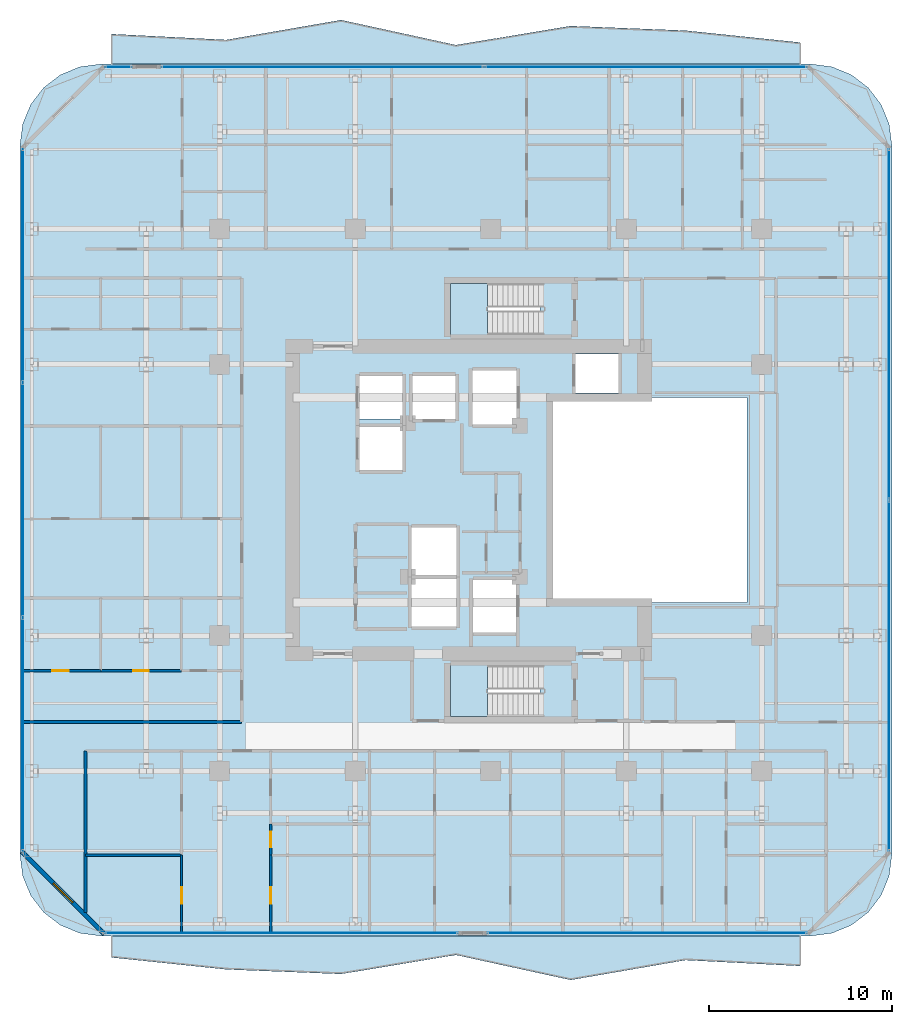
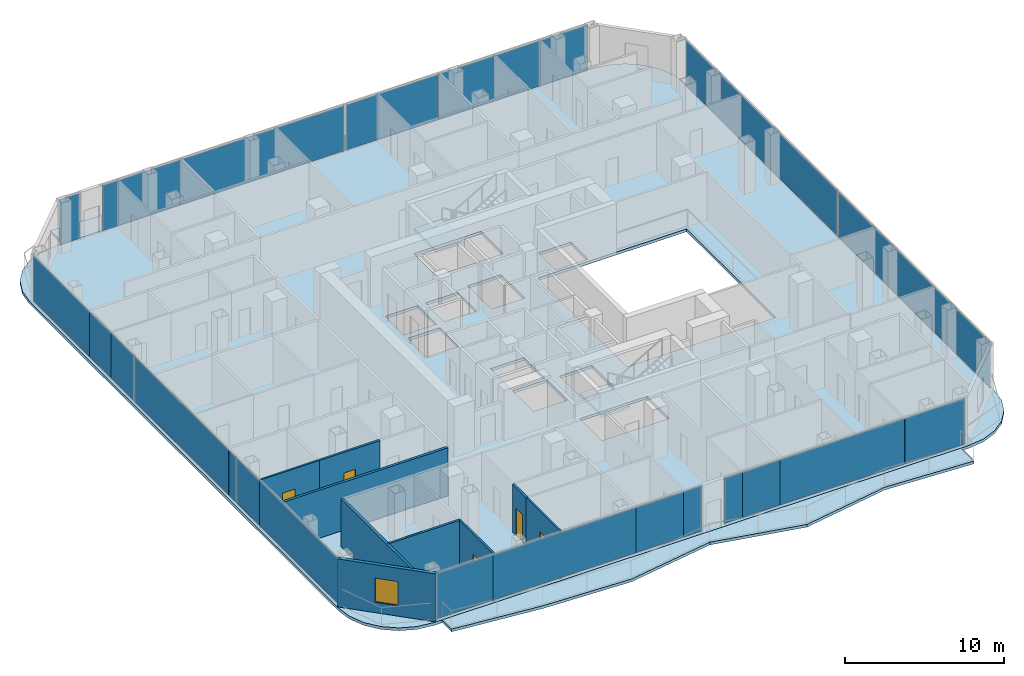
# One storey, part 18 of 27: 25 plates, 9 walls, 5 doors, 5 slabs, 1 window, 6 openings, 8 elements without a shape of their own.
"""IFC4 building model written with IfcOpenShell, lengths in metres."""

from ifc_helpers import new_model, si_unit, direction, frame, frame_2d, origin, origin_2d, place, context, subcontext, project, spatial, polyline, rectangle, outline, extrude, material, layer, layer_set, type_object, element, fill, aggregate, save


model = new_model("IFC4")

# Units and contexts
model_context = context("Model", 3, precision=1e-05, world=origin(), true_north=direction((0.0, 1.0)))
body_context = subcontext(model_context, "Body", "Model", "MODEL_VIEW")
ifc_project = project(units=[si_unit("LENGTHUNIT", "METRE"), si_unit("AREAUNIT", "SQUARE_METRE"), si_unit("VOLUMEUNIT", "CUBIC_METRE"), si_unit("PLANEANGLEUNIT", "RADIAN"), si_unit("MASSUNIT", "GRAM", prefix="KILO")], contexts=[model_context])

# Site, building, storey
site_placement = place(None, origin())
site = spatial("IfcSite", under=ifc_project, at=site_placement, CompositionType="ELEMENT")
building_placement = place(site_placement, origin())
building = spatial("IfcBuilding", under=site, at=building_placement, Name="Khorvyn Point Tower", CompositionType="ELEMENT")
storey_placement = place(building_placement, frame((0.0, 0.0, 179.699951171875)))
storey = spatial("IfcBuildingStorey", under=building, at=storey_placement, Name="L44", CompositionType="ELEMENT", Elevation=179.699951171875)

# Slabs
ifc_material_1 = material(Name="Concrete C35/45", Category="concrete")
ifc_layer_1 = layer(ifc_material_1, 0.219970703125)
ifc_layer_set_1 = layer_set([ifc_layer_1], Name="Concrete C35/45 Structural Floor Slab 220")
slab_type_1 = type_object("IfcSlabType", Name="Concrete C35/45 Structural Floor Slab 220", PredefinedType="FLOOR", material=ifc_layer_set_1)
slab_1_placement = place(storey_placement, frame((0.0, 0.0, -0.219970703125)))
element("IfcSlab", 1, at=slab_1_placement, inside=storey, type_object=slab_type_1, Name="L44 Main Structural Floor Slab", PredefinedType="FLOOR", context=body_context, shape_type="SweptSolid", body=[
    extrude(outline(polyline([(-21.300048828125, -23.800048828125), (-22.438720703125, -23.650146484375), (-23.5, -23.21044921875), (-24.411376953125, -22.51123046875), (-25.110595703125, -21.60009765625), (-25.550048828125, -20.538818359375), (-25.699951171875, -19.39990234375), (-25.699951171875, 19.39990234375), (-25.550048828125, 20.538818359375), (-25.110595703125, 21.60009765625), (-24.411376953125, 22.51123046875), (-23.5, 23.21044921875), (-22.438720703125, 23.650146484375), (-21.300048828125, 23.800048828125), (17.5, 23.800048828125), (18.638916015625, 23.650146484375), (19.699951171875, 23.21044921875), (20.611328125, 22.51123046875), (21.310546875, 21.60009765625), (21.75, 20.538818359375), (21.89990234375, 19.39990234375), (21.89990234375, -19.39990234375), (21.75, -20.538818359375), (21.310546875, -21.60009765625), (20.611328125, -22.51123046875), (19.699951171875, -23.21044921875), (18.638916015625, -23.650146484375), (17.5, -23.800048828125), (-21.300048828125, -23.800048828125)]), holes=[polyline([(-1.875, -6.89990234375), (-1.875, -4.300048828125), (-4.324951171875, -4.300048828125), (-4.324951171875, -6.89990234375), (-1.875, -6.89990234375)]), polyline([(-1.875, -4.10009765625), (-1.875, -1.5), (-4.324951171875, -1.5), (-4.324951171875, -4.10009765625), (-1.875, -4.10009765625)]), polyline([(-4.824951171875, 1.625), (-4.824951171875, 3.97509765625), (-7.175048828125, 3.97509765625), (-7.175048828125, 1.625), (-4.824951171875, 1.625)]), polyline([(-7.175048828125, 4.425048828125), (-4.824951171875, 4.425048828125), (-4.824951171875, 6.77490234375), (-7.175048828125, 6.77490234375), (-7.175048828125, 4.425048828125)]), polyline([(-4.27490234375, 4.425048828125), (-1.925048828125, 4.425048828125), (-1.925048828125, 6.77490234375), (-4.27490234375, 6.77490234375), (-4.27490234375, 4.425048828125)]), polyline([(1.39990234375, 4.125), (1.39990234375, 7.074951171875), (-1.0, 7.074951171875), (-1.0, 4.125), (1.39990234375, 4.125)]), polyline([(-2.199951171875, -11.820068359375), (2.679931640625, -11.820068359375), (2.679931640625, -9.02001953125), (-2.199951171875, -9.02001953125), (-2.199951171875, -11.820068359375)]), polyline([(-0.97509765625, -7.22509765625), (1.375, -7.22509765625), (1.375, -4.375), (-0.97509765625, -4.375), (-0.97509765625, -7.22509765625)]), polyline([(14.0, -5.60009765625), (14.0, 5.60009765625), (3.199951171875, 5.60009765625), (3.199951171875, -5.60009765625), (14.0, -5.60009765625)]), polyline([(4.625, 5.85009765625), (6.97509765625, 5.85009765625), (6.97509765625, 7.97998046875), (4.625, 7.97998046875), (4.625, 5.85009765625)]), polyline([(-2.199951171875, 9.02001953125), (2.679931640625, 9.02001953125), (2.679931640625, 11.820068359375), (-2.199951171875, 11.820068359375), (-2.199951171875, 9.02001953125)])]), origin(), (0.0, 0.0, 1.0), 0.219970703125),
])
ifc_material_2 = material(Name="Concrete C40/50", Category="concrete")
ifc_layer_2 = layer(ifc_material_2, 0.2099609375)
ifc_layer_set_2 = layer_set([ifc_layer_2], Name="Concrete C40/50 Rippling Balcony Slab 210")
slab_type_2 = type_object("IfcSlabType", Name="Concrete C40/50 Rippling Balcony Slab 210", PredefinedType="USERDEFINED", material=ifc_layer_set_2)
slab_2_placement = place(storey_placement, frame((0.0, 0.0, -0.2099609375)))
element("IfcSlab", 2, at=slab_2_placement, inside=storey, type_object=slab_type_2, Name="L44 North Sinusoidal Rippling Balcony", ObjectType="BALCONY", PredefinedType="USERDEFINED", context=body_context, shape_type="SweptSolid", body=[
    extrude(outline(polyline([(16.89990234375, 23.800048828125), (16.89990234375, 24.978759765625), (10.63330078125, 25.630859375), (4.36669921875, 25.8798828125), (-1.89990234375, 24.8408203125), (-8.166748046875, 26.20703125), (-14.433349609375, 25.12255859375), (-20.699951171875, 25.441650390625), (-20.699951171875, 23.800048828125), (16.89990234375, 23.800048828125)])), origin(), (0.0, 0.0, 1.0), 0.2099609375),
])
slab_3_placement = place(storey_placement, frame((0.0, 0.0, -0.2099609375)))
element("IfcSlab", 3, at=slab_3_placement, inside=storey, type_object=slab_type_2, Name="L44 South Sinusoidal Rippling Balcony", ObjectType="BALCONY", PredefinedType="USERDEFINED", context=body_context, shape_type="SweptSolid", body=[
    extrude(outline(polyline([(-20.699951171875, -23.800048828125), (-20.699951171875, -24.978759765625), (-14.433349609375, -25.630859375), (-8.166748046875, -25.8798828125), (-1.89990234375, -24.8408203125), (4.36669921875, -26.20703125), (10.63330078125, -25.12255859375), (16.89990234375, -25.441650390625), (16.89990234375, -23.800048828125), (-20.699951171875, -23.800048828125)])), origin(), (0.0, 0.0, 1.0), 0.2099609375),
])

# Stair, slab
stair_type = type_object("IfcStairType", Name="Tower Concrete C40/50 Dogleg Exit Stair", PredefinedType="HALF_TURN_STAIR", material=ifc_material_2)
stair_1_placement = place(storey_placement, origin())
stair_1 = element("IfcStair", 4, at=stair_1_placement, inside=storey, type_object=stair_type, Name="L44 Tower Smokeproof Exit Stair South", PredefinedType="HALF_TURN_STAIR")
ifc_layer_3 = layer(ifc_material_2, 0.199951171875)
ifc_layer_set_3 = layer_set([ifc_layer_3], Name="Concrete C40/50 Stair Landing Slab 200")
slab_type_3 = type_object("IfcSlabType", Name="Concrete C40/50 Stair Landing Slab 200", PredefinedType="LANDING", material=ifc_layer_set_3)
slab_4_placement = place(storey_placement, frame((0.0, 0.0, 1.75)))
slab_4 = element("IfcSlab", 5, at=slab_4_placement, type_object=slab_type_3, Name="ST-01 landing 1", PredefinedType="LANDING", context=body_context, shape_type="SweptSolid", body=[
    extrude(outline(polyline([(-0.179931640625, -9.02001953125), (-2.199951171875, -9.02001953125), (-2.199951171875, -11.820068359375), (-0.179931640625, -11.820068359375), (-0.179931640625, -9.02001953125)])), origin(), (0.0, 0.0, 1.0), 0.199951171875),
])
aggregate(stair_1, [slab_4])

stair_2_placement = place(storey_placement, origin())
stair_2 = element("IfcStair", 6, at=stair_2_placement, inside=storey, type_object=stair_type, Name="L44 Tower Smokeproof Exit Stair North", PredefinedType="HALF_TURN_STAIR")
slab_5_placement = place(storey_placement, frame((0.0, 0.0, 1.75)))
slab_5 = element("IfcSlab", 7, at=slab_5_placement, type_object=slab_type_3, Name="ST-02 landing 1", PredefinedType="LANDING", context=body_context, shape_type="SweptSolid", body=[
    extrude(outline(polyline([(-0.179931640625, 11.820068359375), (-2.199951171875, 11.820068359375), (-2.199951171875, 9.02001953125), (-0.179931640625, 9.02001953125), (-0.179931640625, 11.820068359375)])), origin(), (0.0, 0.0, 1.0), 0.199951171875),
])
aggregate(stair_2, [slab_5])

# Curtain wall, plates
ifc_material_3 = material(Name="Anodised aluminium 6063-T6 and laminated Low-E glass", Category="aluminium")
ifc_layer_4 = layer(ifc_material_3, 0.18994140625)
ifc_layer_set_4 = layer_set([ifc_layer_4], Name="Stick-Built Acoustic Curtain Wall CW-SYS-03")
curtain_wall_type = type_object("IfcCurtainWallType", Name="Stick-Built Acoustic Curtain Wall CW-SYS-03", PredefinedType="NOTDEFINED", material=ifc_layer_set_4)
curtain_wall_1_placement = place(storey_placement, origin())
curtain_wall_1 = element("IfcCurtainWall", 8, at=curtain_wall_1_placement, inside=storey, type_object=curtain_wall_type, Name="Curtain Wall", PredefinedType="NOTDEFINED")
ifc_material_4 = material(Name="Laminated Low-E insulated glass", Category="glass")
ifc_layer_5 = layer(ifc_material_4, 0.028076171875)
ifc_layer_set_5 = layer_set([ifc_layer_5], Name="Tempered Low-E Vision Glazing Panel CW-GL28")
plate_type = type_object("IfcPlateType", Name="Tempered Low-E Vision Glazing Panel CW-GL28", PredefinedType="CURTAIN_PANEL", material=ifc_layer_set_5)
plate_1_placement = place(storey_placement, frame((0.487060546875, -23.64990234375, 0.10009765625), z_axis=(0.0, 0.0, 1.0), x_axis=(-1.0, 0.0, 0.0)))
plate_1 = element("IfcPlate", 9, at=plate_1_placement, type_object=plate_type, Name="Panel", PredefinedType="CURTAIN_PANEL", context=body_context, shape_type="SweptSolid", body=[
    extrude(rectangle(XDim=1.298095703125, YDim=0.028076171875, at=origin_2d()), origin(), (0.0, 0.0, 1.0), 3.47998046875),
])
plate_2_placement = place(storey_placement, frame((2.5048828125, -23.64990234375, 0.10009765625), z_axis=(0.0, 0.0, 1.0), x_axis=(-1.0, 0.0, 0.0)))
plate_2 = element("IfcPlate", 10, at=plate_2_placement, type_object=plate_type, Name="Panel", PredefinedType="CURTAIN_PANEL", context=body_context, shape_type="SweptSolid", body=[
    extrude(rectangle(XDim=2.721923828125, YDim=0.028076171875, at=origin_2d()), origin(), (0.0, 0.0, 1.0), 3.47998046875),
])
plate_3_placement = place(storey_placement, frame((8.39453125, -23.64990234375, 0.10009765625), z_axis=(0.0, 0.0, 1.0), x_axis=(-1.0, 0.0, 0.0)))
plate_3 = element("IfcPlate", 11, at=plate_3_placement, type_object=plate_type, Name="Panel", PredefinedType="CURTAIN_PANEL", context=body_context, shape_type="SweptSolid", body=[
    extrude(rectangle(XDim=9.041015625, YDim=0.028076171875, at=origin_2d()), origin(), (0.0, 0.0, 1.0), 3.47998046875),
])
plate_4_placement = place(storey_placement, frame((15.08447265625, -23.64990234375, 0.10009765625), z_axis=(0.0, 0.0, 1.0), x_axis=(-1.0, 0.0, 0.0)))
plate_4 = element("IfcPlate", 12, at=plate_4_placement, type_object=plate_type, Name="Panel", PredefinedType="CURTAIN_PANEL", context=body_context, shape_type="SweptSolid", body=[
    extrude(rectangle(XDim=4.322998046875, YDim=0.028076171875, at=origin_2d()), origin(), (0.0, 0.0, 1.0), 3.47998046875),
])
aggregate(curtain_wall_1, [plate_1, plate_2, plate_3, plate_4])

curtain_wall_2_placement = place(storey_placement, origin())
curtain_wall_2 = element("IfcCurtainWall", 13, at=curtain_wall_2_placement, inside=storey, type_object=curtain_wall_type, Name="Curtain Wall", PredefinedType="NOTDEFINED")
plate_5_placement = place(storey_placement, frame((-18.992919921875, -23.64990234375, 0.10009765625), z_axis=(0.0, 0.0, 1.0), x_axis=(-1.0, 0.0, 0.0)))
plate_5 = element("IfcPlate", 14, at=plate_5_placement, type_object=plate_type, Name="Panel", PredefinedType="CURTAIN_PANEL", context=body_context, shape_type="SweptSolid", body=[
    extrude(rectangle(XDim=4.10595703125, YDim=0.028076171875, at=origin_2d()), origin(), (0.0, 0.0, 1.0), 3.47998046875),
])
plate_6_placement = place(storey_placement, frame((-11.7470703125, -23.64990234375, 0.10009765625), z_axis=(0.0, 0.0, 1.0), x_axis=(-1.0, 0.0, 0.0)))
plate_6 = element("IfcPlate", 15, at=plate_6_placement, type_object=plate_type, Name="Panel", PredefinedType="CURTAIN_PANEL", context=body_context, shape_type="SweptSolid", body=[
    extrude(rectangle(XDim=10.3701171875, YDim=0.028076171875, at=origin_2d()), origin(), (0.0, 0.0, 1.0), 3.47998046875),
])
plate_7_placement = place(storey_placement, frame((-4.83544921875, -23.64990234375, 0.10009765625), z_axis=(0.0, 0.0, 1.0), x_axis=(-1.0, 0.0, 0.0)))
plate_7 = element("IfcPlate", 16, at=plate_7_placement, type_object=plate_type, Name="Panel", PredefinedType="CURTAIN_PANEL", context=body_context, shape_type="SweptSolid", body=[
    extrude(rectangle(XDim=3.43701171875, YDim=0.028076171875, at=origin_2d()), origin(), (0.0, 0.0, 1.0), 3.47998046875),
])
plate_8_placement = place(storey_placement, frame((-2.45947265625, -23.64990234375, 0.10009765625), z_axis=(0.0, 0.0, 1.0), x_axis=(-1.0, 0.0, 0.0)))
plate_8 = element("IfcPlate", 17, at=plate_8_placement, type_object=plate_type, Name="Panel", PredefinedType="CURTAIN_PANEL", context=body_context, shape_type="SweptSolid", body=[
    extrude(rectangle(XDim=1.299072265625, YDim=0.028076171875, at=origin_2d()), origin(), (0.0, 0.0, 1.0), 3.47998046875),
])
aggregate(curtain_wall_2, [plate_5, plate_6, plate_7, plate_8])

# Curtain wall, plate
curtain_wall_3_placement = place(storey_placement, origin())
curtain_wall_3 = element("IfcCurtainWall", 18, at=curtain_wall_3_placement, inside=storey, type_object=curtain_wall_type, Name="Curtain Wall", PredefinedType="NOTDEFINED")
plate_9_placement = place(storey_placement, frame((-20.3291015625, 23.64990234375, 0.10009765625), z_axis=(0.0, 0.0, 1.0), x_axis=(1.0, 0.0, 0.0)))
plate_9 = element("IfcPlate", 19, at=plate_9_placement, type_object=plate_type, Name="Panel", PredefinedType="CURTAIN_PANEL", context=body_context, shape_type="SweptSolid", body=[
    extrude(rectangle(XDim=1.44189453125, YDim=0.028076171875, at=origin_2d()), origin(), (0.0, 0.0, 1.0), 3.47998046875),
])
aggregate(curtain_wall_3, [plate_9])

# Curtain wall, plates
curtain_wall_4_placement = place(storey_placement, origin())
curtain_wall_4 = element("IfcCurtainWall", 20, at=curtain_wall_4_placement, inside=storey, type_object=curtain_wall_type, Name="Curtain Wall", PredefinedType="NOTDEFINED")
plate_10_placement = place(storey_placement, frame((-17.37646484375, 23.64990234375, 0.10009765625), z_axis=(0.0, 0.0, 1.0), x_axis=(1.0, 0.0, 0.0)))
plate_10 = element("IfcPlate", 21, at=plate_10_placement, type_object=plate_type, Name="Panel", PredefinedType="CURTAIN_PANEL", context=body_context, shape_type="SweptSolid", body=[
    extrude(rectangle(XDim=1.175048828125, YDim=0.028076171875, at=origin_2d()), origin(), (0.0, 0.0, 1.0), 3.47998046875),
])
plate_11_placement = place(storey_placement, frame((-14.5625, 23.64990234375, 0.10009765625), z_axis=(0.0, 0.0, 1.0), x_axis=(1.0, 0.0, 0.0)))
plate_11 = element("IfcPlate", 22, at=plate_11_placement, type_object=plate_type, Name="Panel", PredefinedType="CURTAIN_PANEL", context=body_context, shape_type="SweptSolid", body=[
    extrude(rectangle(XDim=4.43701171875, YDim=0.028076171875, at=origin_2d()), origin(), (0.0, 0.0, 1.0), 3.47998046875),
])
plate_12_placement = place(storey_placement, frame((-6.37451171875, 23.64990234375, 0.10009765625), z_axis=(0.0, 0.0, 1.0), x_axis=(1.0, 0.0, 0.0)))
plate_12 = element("IfcPlate", 23, at=plate_12_placement, type_object=plate_type, Name="Panel", PredefinedType="CURTAIN_PANEL", context=body_context, shape_type="SweptSolid", body=[
    extrude(rectangle(XDim=11.923095703125, YDim=0.028076171875, at=origin_2d()), origin(), (0.0, 0.0, 1.0), 3.47998046875),
])
plate_13_placement = place(storey_placement, frame((0.861572265625, 23.64990234375, 0.10009765625), z_axis=(0.0, 0.0, 1.0), x_axis=(1.0, 0.0, 0.0)))
plate_13 = element("IfcPlate", 24, at=plate_13_placement, type_object=plate_type, Name="Panel", PredefinedType="CURTAIN_PANEL", context=body_context, shape_type="SweptSolid", body=[
    extrude(rectangle(XDim=2.3330078125, YDim=0.028076171875, at=origin_2d()), origin(), (0.0, 0.0, 1.0), 3.47998046875),
])
plate_14_placement = place(storey_placement, frame((4.22509765625, 23.64990234375, 0.10009765625), z_axis=(0.0, 0.0, 1.0), x_axis=(1.0, 0.0, 0.0)))
plate_14 = element("IfcPlate", 25, at=plate_14_placement, type_object=plate_type, Name="Panel", PredefinedType="CURTAIN_PANEL", context=body_context, shape_type="SweptSolid", body=[
    extrude(rectangle(XDim=4.3779296875, YDim=0.028076171875, at=origin_2d()), origin(), (0.0, 0.0, 1.0), 3.47998046875),
])
plate_15_placement = place(storey_placement, frame((10.1044921875, 23.64990234375, 0.10009765625), z_axis=(0.0, 0.0, 1.0), x_axis=(1.0, 0.0, 0.0)))
plate_15 = element("IfcPlate", 26, at=plate_15_placement, type_object=plate_type, Name="Panel", PredefinedType="CURTAIN_PANEL", context=body_context, shape_type="SweptSolid", body=[
    extrude(rectangle(XDim=7.364990234375, YDim=0.028076171875, at=origin_2d()), origin(), (0.0, 0.0, 1.0), 3.47998046875),
])
plate_16_placement = place(storey_placement, frame((15.5205078125, 23.64990234375, 0.10009765625), z_axis=(0.0, 0.0, 1.0), x_axis=(1.0, 0.0, 0.0)))
plate_16 = element("IfcPlate", 27, at=plate_16_placement, type_object=plate_type, Name="Panel", PredefinedType="CURTAIN_PANEL", context=body_context, shape_type="SweptSolid", body=[
    extrude(rectangle(XDim=3.450927734375, YDim=0.028076171875, at=origin_2d()), origin(), (0.0, 0.0, 1.0), 3.47998046875),
])
aggregate(curtain_wall_4, [plate_10, plate_11, plate_12, plate_13, plate_14, plate_15, plate_16])

curtain_wall_5_placement = place(storey_placement, origin())
curtain_wall_5 = element("IfcCurtainWall", 28, at=curtain_wall_5_placement, inside=storey, type_object=curtain_wall_type, Name="Curtain Wall", PredefinedType="NOTDEFINED")
plate_17_placement = place(storey_placement, frame((-25.550048828125, -14.205078125, 0.10009765625), z_axis=(0.0, 0.0, 1.0), x_axis=(0.0, 1.0, 0.0)))
plate_17 = element("IfcPlate", 29, at=plate_17_placement, type_object=plate_type, Name="Panel", PredefinedType="CURTAIN_PANEL", context=body_context, shape_type="SweptSolid", body=[
    extrude(rectangle(XDim=9.882080078125, YDim=0.028076171875, at=origin_2d()), origin(), (0.0, 0.0, 1.0), 3.47998046875),
])
plate_18_placement = place(storey_placement, frame((-25.550048828125, -7.86328125, 0.10009765625), z_axis=(0.0, 0.0, 1.0), x_axis=(0.0, 1.0, 0.0)))
plate_18 = element("IfcPlate", 30, at=plate_18_placement, type_object=plate_type, Name="Panel", PredefinedType="CURTAIN_PANEL", context=body_context, shape_type="SweptSolid", body=[
    extrude(rectangle(XDim=2.785400390625, YDim=0.028076171875, at=origin_2d()), origin(), (0.0, 0.0, 1.0), 3.47998046875),
])
plate_19_placement = place(storey_placement, frame((-25.550048828125, -5.8876953125, 0.10009765625), z_axis=(0.0, 0.0, 1.0), x_axis=(0.0, 1.0, 0.0)))
plate_19 = element("IfcPlate", 31, at=plate_19_placement, type_object=plate_type, Name="Panel", PredefinedType="CURTAIN_PANEL", context=body_context, shape_type="SweptSolid", body=[
    extrude(rectangle(XDim=0.94970703125, YDim=0.028076171875, at=origin_2d()), origin(), (0.0, 0.0, 1.0), 3.47998046875),
])
plate_20_placement = place(storey_placement, frame((-25.550048828125, 0.478759765625, 0.10009765625), z_axis=(0.0, 0.0, 1.0), x_axis=(0.0, 1.0, 0.0)))
plate_20 = element("IfcPlate", 32, at=plate_20_placement, type_object=plate_type, Name="Panel", PredefinedType="CURTAIN_PANEL", context=body_context, shape_type="SweptSolid", body=[
    extrude(rectangle(XDim=11.767578125, YDim=0.028076171875, at=origin_2d()), origin(), (0.0, 0.0, 1.0), 3.47998046875),
])
plate_21_placement = place(storey_placement, frame((-25.550048828125, 7.92333984375, 0.10009765625), z_axis=(0.0, 0.0, 1.0), x_axis=(0.0, 1.0, 0.0)))
plate_21 = element("IfcPlate", 33, at=plate_21_placement, type_object=plate_type, Name="Panel", PredefinedType="CURTAIN_PANEL", context=body_context, shape_type="SweptSolid", body=[
    extrude(rectangle(XDim=2.9052734375, YDim=0.028076171875, at=origin_2d()), origin(), (0.0, 0.0, 1.0), 3.47998046875),
])
plate_22_placement = place(storey_placement, frame((-25.550048828125, 10.719970703125, 0.10009765625), z_axis=(0.0, 0.0, 1.0), x_axis=(0.0, 1.0, 0.0)))
plate_22 = element("IfcPlate", 34, at=plate_22_placement, type_object=plate_type, Name="Panel", PredefinedType="CURTAIN_PANEL", context=body_context, shape_type="SweptSolid", body=[
    extrude(rectangle(XDim=2.672119140625, YDim=0.028076171875, at=origin_2d()), origin(), (0.0, 0.0, 1.0), 3.47998046875),
])
plate_23_placement = place(storey_placement, frame((-25.550048828125, 15.60498046875, 0.10009765625), z_axis=(0.0, 0.0, 1.0), x_axis=(0.0, 1.0, 0.0)))
plate_23 = element("IfcPlate", 35, at=plate_23_placement, type_object=plate_type, Name="Panel", PredefinedType="CURTAIN_PANEL", context=body_context, shape_type="SweptSolid", body=[
    extrude(rectangle(XDim=7.08203125, YDim=0.028076171875, at=origin_2d()), origin(), (0.0, 0.0, 1.0), 3.47998046875),
])
aggregate(curtain_wall_5, [plate_17, plate_18, plate_19, plate_20, plate_21, plate_22, plate_23])

curtain_wall_6_placement = place(storey_placement, origin())
curtain_wall_6 = element("IfcCurtainWall", 36, at=curtain_wall_6_placement, inside=storey, type_object=curtain_wall_type, Name="Curtain Wall", PredefinedType="NOTDEFINED")
plate_24_placement = place(storey_placement, frame((21.75, 9.60009765625, 0.10009765625), z_axis=(0.0, 0.0, 1.0), x_axis=(0.0, -1.0, 0.0)))
plate_24 = element("IfcPlate", 37, at=plate_24_placement, type_object=plate_type, Name="Panel", PredefinedType="CURTAIN_PANEL", context=body_context, shape_type="SweptSolid", body=[
    extrude(rectangle(XDim=19.10009765625, YDim=0.028076171875, at=origin_2d()), origin(), (0.0, 0.0, 1.0), 3.47998046875),
])
plate_25_placement = place(storey_placement, frame((21.75, -9.60009765625, 0.10009765625), z_axis=(0.0, 0.0, 1.0), x_axis=(0.0, -1.0, 0.0)))
plate_25 = element("IfcPlate", 38, at=plate_25_placement, type_object=plate_type, Name="Panel", PredefinedType="CURTAIN_PANEL", context=body_context, shape_type="SweptSolid", body=[
    extrude(rectangle(XDim=19.10009765625, YDim=0.028076171875, at=origin_2d()), origin(), (0.0, 0.0, 1.0), 3.47998046875),
])
aggregate(curtain_wall_6, [plate_24, plate_25])

# Walls
ifc_material_5 = material(Name="Double acoustic gypsum on twin steel stud", Category="steel")
ifc_layer_6 = layer(ifc_material_5, 0.179931640625)
ifc_layer_set_6 = layer_set([ifc_layer_6], Name="Acoustic Double-Stud Apartment Demising Wall 180")
wall_type_1 = type_object("IfcWallType", Name="Acoustic Double-Stud Apartment Demising Wall 180", PredefinedType="PARTITIONING", material=ifc_layer_set_6)
wall_1_placement = place(storey_placement, frame((-22.1201171875, -22.510009765625, 0.0), z_axis=(0.0, 0.0, 1.0), x_axis=(0.0, 1.0, 0.0)))
element("IfcWall", 39, at=wall_1_placement, inside=storey, type_object=wall_type_1, Name="Wall", PredefinedType="PARTITIONING", context=body_context, shape_type="SweptSolid", body=[
    extrude(rectangle(XDim=8.81005859375, YDim=0.179931640625, at=frame_2d((4.405029296875, 0.0))), origin(), (0.0, 0.0, 1.0), 3.679931640625),
])
wall_2_placement = place(storey_placement, frame((-25.530029296875, -12.1201171875, 0.0), z_axis=(0.0, 0.0, 1.0), x_axis=(1.0, 0.0, 0.0)))
element("IfcWall", 40, at=wall_2_placement, inside=storey, type_object=wall_type_1, Name="Wall", PredefinedType="PARTITIONING", context=body_context, shape_type="SweptSolid", body=[
    extrude(rectangle(XDim=11.929931640625, YDim=0.179931640625, at=frame_2d((5.96484375, 0.0))), origin(), (0.0, 0.0, 1.0), 3.679931640625),
])

# Wall, opening, window
ifc_material_6 = material(Name="Pale anodised aluminium rainscreen on steel stud", Category="steel")
ifc_layer_7 = layer(ifc_material_6, 0.239990234375)
ifc_layer_set_7 = layer_set([ifc_layer_7], Name="Anodised Aluminium Insulated Corner Spandrel Wall 240")
wall_type_2 = type_object("IfcWallType", Name="Anodised Aluminium Insulated Corner Spandrel Wall 240", PredefinedType="SOLIDWALL", material=ifc_layer_set_7)
wall_3_placement = place(storey_placement, frame((-21.107666015625, -23.6923828125, 0.0), z_axis=(0.0, 0.0, 1.0), x_axis=(-0.707087534163, 0.707126027686, 0.0)))
wall_3 = element("IfcWall", 41, at=wall_3_placement, inside=storey, type_object=wall_type_2, Name="L44 Rounded Corner Wall SW", PredefinedType="SOLIDWALL", context=body_context, shape_type="SweptSolid", body=[
    extrude(rectangle(XDim=6.34228515625, YDim=0.239990234375, at=frame_2d((3.171142578125, 0.0))), origin(), (0.0, 0.0, 1.0), 3.679931640625),
])
opening_1_placement = place(wall_3_placement, frame((2.42138671875, 0.0, 0.800048828125)))
opening_1 = element("IfcOpeningElement", 42, at=opening_1_placement, cuts=wall_3, Name="Opening WN-1518", PredefinedType="OPENING", context=body_context, shape_type="SweptSolid", body=[
    extrude(rectangle(XDim=1.5, YDim=1.85009765625, at=frame_2d((0.75, 0.925048828125))), frame((0.0, 0.1298828125, 0.0), z_axis=(0.0, -1.0, 0.0), x_axis=(1.0, 0.0, 0.0)), (0.0, 0.0, 1.0), 0.260009765625),
])
window_type = type_object("IfcWindowType", Name="Anodised Aluminium Rounded-Corner Panoramic Window 1500x1850", PartitioningType="SINGLE_PANEL", PredefinedType="WINDOW", material=ifc_material_3)
window_placement = place(opening_1_placement, origin())
window = element("IfcWindow", 43, at=window_placement, inside=storey, type_object=window_type, Name="L44 Corner Panoramic Window SW", OverallHeight=1.85009765625, OverallWidth=1.5, PartitioningType="SINGLE_PANEL", PredefinedType="WINDOW", context=body_context, shape_type="SweptSolid", body=[
    extrude(rectangle(XDim=1.5, YDim=1.85009765625, at=frame_2d((0.75, 0.925048828125))), frame((0.0, 0.030029296875, 0.0), z_axis=(0.0, -1.0, 0.0), x_axis=(1.0, 0.0, 0.0)), (0.0, 0.0, 1.0), 0.06005859375),
])
fill(opening_1, window)

# Wall, opening, door
ifc_material_7 = material(Name="Gypsum plasterboard on steel stud", Category="steel")
ifc_layer_8 = layer(ifc_material_7, 0.1201171875)
ifc_layer_set_8 = layer_set([ifc_layer_8], Name="Gypsum Acoustic Stud Room Partition Wall 120")
wall_type_3 = type_object("IfcWallType", Name="Gypsum Acoustic Stud Room Partition Wall 120", PredefinedType="PARTITIONING", material=ifc_layer_set_8)
wall_4_placement = place(storey_placement, frame((-16.8759765625, -23.6298828125, 0.0), z_axis=(0.0, 0.0, 1.0), x_axis=(0.0, 1.0, 0.0)))
wall_4 = element("IfcWall", 44, at=wall_4_placement, inside=storey, type_object=wall_type_3, Name="Wall", PredefinedType="PARTITIONING", context=body_context, shape_type="SweptSolid", body=[
    extrude(rectangle(XDim=4.239990234375, YDim=0.1201171875, at=frame_2d((2.1201171875, 0.0))), origin(), (0.0, 0.0, 1.0), 3.679931640625),
])
opening_2_placement = place(wall_4_placement, frame((1.581298828125, 0.0, 0.0)))
opening_2 = element("IfcOpeningElement", 45, at=opening_2_placement, cuts=wall_4, Name="Opening ID-RM90", PredefinedType="OPENING", context=body_context, shape_type="SweptSolid", body=[
    extrude(rectangle(XDim=0.89990234375, YDim=2.10009765625, at=frame_2d((0.449951171875, 1.050048828125))), frame((0.0, 0.070068359375, 0.0), z_axis=(0.0, -1.0, 0.0), x_axis=(1.0, 0.0, 0.0)), (0.0, 0.0, 1.0), 0.14013671875),
])
ifc_material_8 = material(Name="Engineered oak veneer timber", Category="wood")
door_type_1 = type_object("IfcDoorType", Name="Flush Engineered Timber Room Door 900x2100", OperationType="NOTDEFINED", PredefinedType="DOOR", material=ifc_material_8)
door_1_placement = place(opening_2_placement, origin())
door_1 = element("IfcDoor", 46, at=door_1_placement, inside=storey, type_object=door_type_1, Name="Door", OperationType="SINGLE_SWING_RIGHT", OverallHeight=2.10009765625, OverallWidth=0.89990234375, PredefinedType="DOOR", context=body_context, shape_type="SweptSolid", body=[
    extrude(rectangle(XDim=0.89990234375, YDim=2.10009765625, at=frame_2d((0.449951171875, 1.050048828125))), frame((0.0, 0.02490234375, 0.0), z_axis=(0.0, -1.0, 0.0), x_axis=(1.0, 0.0, 0.0)), (0.0, 0.0, 1.0), 0.050048828125),
])
fill(opening_2, door_1)

wall_5_placement = place(storey_placement, frame((-12.009033203125, -23.6298828125, 0.0), z_axis=(0.0, 0.0, 1.0), x_axis=(0.0, 1.0, 0.0)))
wall_5 = element("IfcWall", 47, at=wall_5_placement, inside=storey, type_object=wall_type_3, Name="Wall", PredefinedType="PARTITIONING", context=body_context, shape_type="SweptSolid", body=[
    extrude(rectangle(XDim=4.239990234375, YDim=0.1201171875, at=frame_2d((2.1201171875, 0.0))), origin(), (0.0, 0.0, 1.0), 3.679931640625),
])
opening_3_placement = place(wall_5_placement, frame((1.581298828125, 0.0, 0.0)))
opening_3 = element("IfcOpeningElement", 48, at=opening_3_placement, cuts=wall_5, Name="Opening ID-RM90", PredefinedType="OPENING", context=body_context, shape_type="SweptSolid", body=[
    extrude(rectangle(XDim=0.89990234375, YDim=2.10009765625, at=frame_2d((0.449951171875, 1.050048828125))), frame((0.0, 0.070068359375, 0.0), z_axis=(0.0, -1.0, 0.0), x_axis=(1.0, 0.0, 0.0)), (0.0, 0.0, 1.0), 0.14013671875),
])
door_2_placement = place(opening_3_placement, origin())
door_2 = element("IfcDoor", 49, at=door_2_placement, inside=storey, type_object=door_type_1, Name="Door", OperationType="SINGLE_SWING_LEFT", OverallHeight=2.10009765625, OverallWidth=0.89990234375, PredefinedType="DOOR", context=body_context, shape_type="SweptSolid", body=[
    extrude(rectangle(XDim=0.89990234375, YDim=2.10009765625, at=frame_2d((0.449951171875, 1.050048828125))), frame((0.0, 0.02490234375, 0.0), z_axis=(0.0, -1.0, 0.0), x_axis=(1.0, 0.0, 0.0)), (0.0, 0.0, 1.0), 0.050048828125),
])
fill(opening_3, door_2)

wall_6_placement = place(storey_placement, frame((-25.530029296875, -9.320068359375, 0.0), z_axis=(0.0, 0.0, 1.0), x_axis=(1.0, 0.0, 0.0)))
wall_6 = element("IfcWall", 50, at=wall_6_placement, inside=storey, type_object=wall_type_3, Name="Wall", PredefinedType="PARTITIONING", context=body_context, shape_type="SweptSolid", body=[
    extrude(rectangle(XDim=4.239990234375, YDim=0.1201171875, at=frame_2d((2.1201171875, 0.0))), origin(), (0.0, 0.0, 1.0), 3.679931640625),
])
opening_4_placement = place(wall_6_placement, frame((1.581298828125, 0.0, 0.0)))
opening_4 = element("IfcOpeningElement", 51, at=opening_4_placement, cuts=wall_6, Name="Opening ID-RM90", PredefinedType="OPENING", context=body_context, shape_type="SweptSolid", body=[
    extrude(rectangle(XDim=0.89990234375, YDim=2.10009765625, at=frame_2d((0.449951171875, 1.050048828125))), frame((0.0, 0.070068359375, 0.0), z_axis=(0.0, -1.0, 0.0), x_axis=(1.0, 0.0, 0.0)), (0.0, 0.0, 1.0), 0.14013671875),
])
door_3_placement = place(opening_4_placement, origin())
door_3 = element("IfcDoor", 52, at=door_3_placement, inside=storey, type_object=door_type_1, Name="Door", OperationType="SINGLE_SWING_RIGHT", OverallHeight=2.10009765625, OverallWidth=0.89990234375, PredefinedType="DOOR", context=body_context, shape_type="SweptSolid", body=[
    extrude(rectangle(XDim=0.89990234375, YDim=2.10009765625, at=frame_2d((0.449951171875, 1.050048828125))), frame((0.0, 0.02490234375, 0.0), z_axis=(0.0, -1.0, 0.0), x_axis=(1.0, 0.0, 0.0)), (0.0, 0.0, 1.0), 0.050048828125),
])
fill(opening_4, door_3)

ifc_material_9 = material(Name="Moisture-resistant gypsum and cement board", Category="gypsum")
ifc_layer_9 = layer(ifc_material_9, 0.14990234375)
ifc_layer_set_9 = layer_set([ifc_layer_9], Name="Moisture-Resistant Wet-Room Partition Wall 150")
wall_type_4 = type_object("IfcWallType", Name="Moisture-Resistant Wet-Room Partition Wall 150", PredefinedType="PARTITIONING", material=ifc_layer_set_9)
wall_7_placement = place(storey_placement, frame((-12.009033203125, -19.389892578125, 0.0), z_axis=(0.0, 0.0, 1.0), x_axis=(0.0, 1.0, 0.0)))
wall_7 = element("IfcWall", 53, at=wall_7_placement, inside=storey, type_object=wall_type_4, Name="Wall", PredefinedType="PARTITIONING", context=body_context, shape_type="SweptSolid", body=[
    extrude(rectangle(XDim=1.706787109375, YDim=0.14990234375, at=frame_2d((0.853515625, 0.0))), origin(), (0.0, 0.0, 1.0), 3.679931640625),
])
opening_5_placement = place(wall_7_placement, frame((0.428466796875, 0.0, 0.0)))
opening_5 = element("IfcOpeningElement", 54, at=opening_5_placement, cuts=wall_7, Name="Opening ID-WC85", PredefinedType="OPENING", context=body_context, shape_type="SweptSolid", body=[
    extrude(rectangle(XDim=0.85009765625, YDim=2.10009765625, at=frame_2d((0.425048828125, 1.050048828125))), frame((0.0, 0.0849609375, 0.0), z_axis=(0.0, -1.0, 0.0), x_axis=(1.0, 0.0, 0.0)), (0.0, 0.0, 1.0), 0.169921875),
])
ifc_material_10 = material(Name="High-pressure laminate on moisture-resistant core", Category="wood")
door_type_2 = type_object("IfcDoorType", Name="Moisture-Resistant Accessible Washroom Door 850x2100", OperationType="NOTDEFINED", PredefinedType="DOOR", material=ifc_material_10)
door_4_placement = place(opening_5_placement, origin())
door_4 = element("IfcDoor", 55, at=door_4_placement, inside=storey, type_object=door_type_2, Name="Door", OperationType="SINGLE_SWING_LEFT", OverallHeight=2.10009765625, OverallWidth=0.85009765625, PredefinedType="DOOR", context=body_context, shape_type="SweptSolid", body=[
    extrude(rectangle(XDim=0.85009765625, YDim=2.10009765625, at=frame_2d((0.425048828125, 1.050048828125))), frame((0.0, 0.02490234375, 0.0), z_axis=(0.0, -1.0, 0.0), x_axis=(1.0, 0.0, 0.0)), (0.0, 0.0, 1.0), 0.050048828125),
])
fill(opening_5, door_4)

wall_8_placement = place(storey_placement, frame((-21.2900390625, -9.320068359375, 0.0), z_axis=(0.0, 0.0, 1.0), x_axis=(1.0, 0.0, 0.0)))
wall_8 = element("IfcWall", 56, at=wall_8_placement, inside=storey, type_object=wall_type_4, Name="Wall", PredefinedType="PARTITIONING", context=body_context, shape_type="SweptSolid", body=[
    extrude(rectangle(XDim=4.39697265625, YDim=0.14990234375, at=frame_2d((2.198486328125, 0.0))), origin(), (0.0, 0.0, 1.0), 3.679931640625),
])
opening_6_placement = place(wall_8_placement, frame((1.7734375, 0.0, 0.0)))
opening_6 = element("IfcOpeningElement", 57, at=opening_6_placement, cuts=wall_8, Name="Opening ID-WC85", PredefinedType="OPENING", context=body_context, shape_type="SweptSolid", body=[
    extrude(rectangle(XDim=0.85009765625, YDim=2.10009765625, at=frame_2d((0.425048828125, 1.050048828125))), frame((0.0, 0.0849609375, 0.0), z_axis=(0.0, -1.0, 0.0), x_axis=(1.0, 0.0, 0.0)), (0.0, 0.0, 1.0), 0.169921875),
])
door_5_placement = place(opening_6_placement, origin())
door_5 = element("IfcDoor", 58, at=door_5_placement, inside=storey, type_object=door_type_2, Name="Door", OperationType="SINGLE_SWING_RIGHT", OverallHeight=2.10009765625, OverallWidth=0.85009765625, PredefinedType="DOOR", context=body_context, shape_type="SweptSolid", body=[
    extrude(rectangle(XDim=0.85009765625, YDim=2.10009765625, at=frame_2d((0.425048828125, 1.050048828125))), frame((0.0, 0.02490234375, 0.0), z_axis=(0.0, -1.0, 0.0), x_axis=(1.0, 0.0, 0.0)), (0.0, 0.0, 1.0), 0.050048828125),
])
fill(opening_6, door_5)

# Wall
wall_9_placement = place(storey_placement, frame((-22.1201171875, -19.389892578125, 0.0), z_axis=(0.0, 0.0, 1.0), x_axis=(1.0, 0.0, 0.0)))
element("IfcWall", 59, at=wall_9_placement, inside=storey, type_object=wall_type_4, Name="Wall", PredefinedType="PARTITIONING", context=body_context, shape_type="SweptSolid", body=[
    extrude(rectangle(XDim=5.244140625, YDim=0.14990234375, at=frame_2d((2.6220703125, 0.0))), origin(), (0.0, 0.0, 1.0), 3.679931640625),
])

save(model, "model.ifc")
